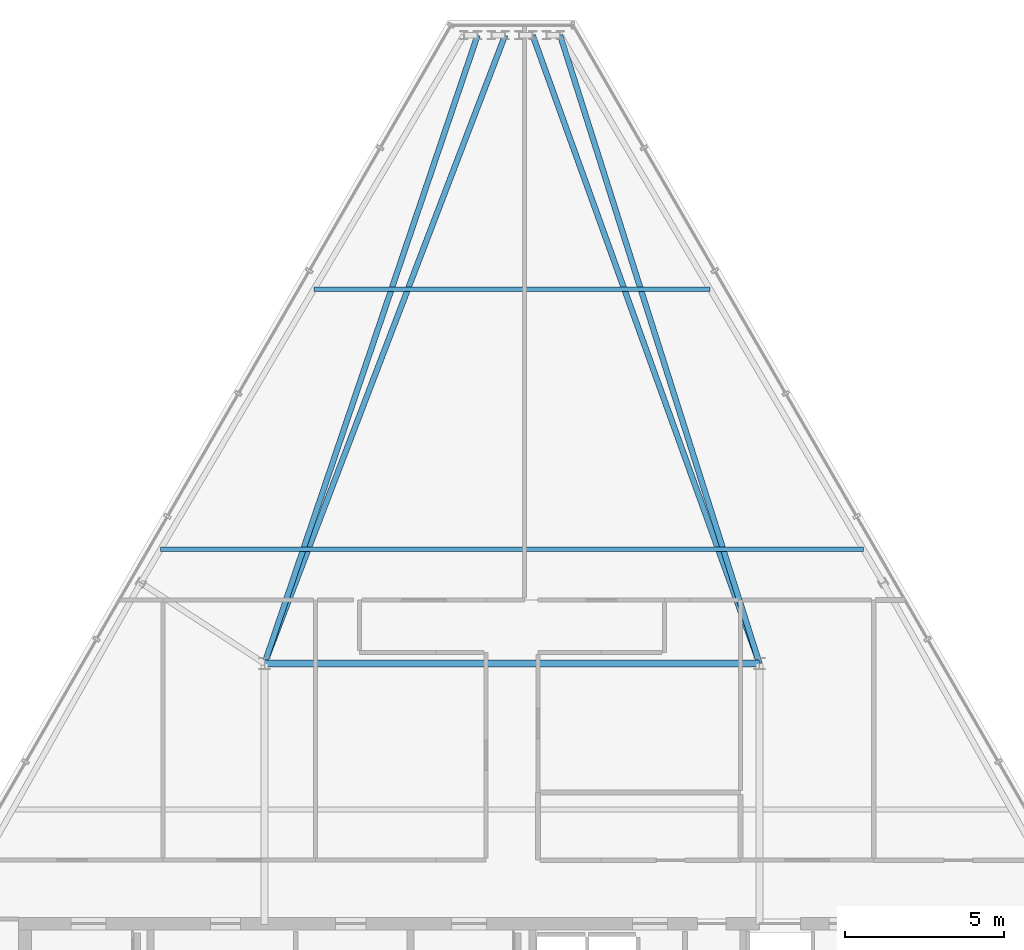
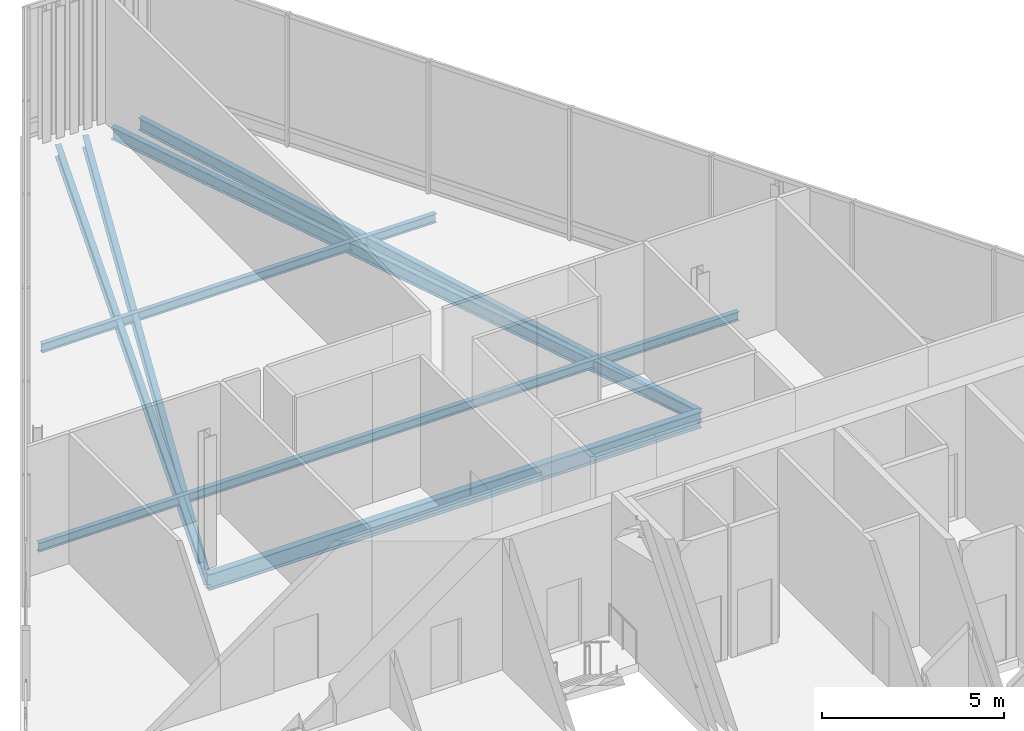
# One storey, part 12 of 25: 7 beams.
"""IFC4 building model written with IfcOpenShell, lengths in metres."""

from ifc_helpers import new_model, si_unit, direction, frame, origin, origin_2d, place, context, subcontext, project, spatial, i_section, extrude, material, material_profile, profile_set, type_object, element, save


model = new_model("IFC4")

# Units and contexts
model_context = context("Model", 3, precision=1e-05, world=origin(), true_north=direction((0.0, 1.0)))
body_context = subcontext(model_context, "Body", "Model", "MODEL_VIEW")
ifc_project = project(units=[si_unit("LENGTHUNIT", "METRE"), si_unit("AREAUNIT", "SQUARE_METRE"), si_unit("VOLUMEUNIT", "CUBIC_METRE"), si_unit("PLANEANGLEUNIT", "RADIAN"), si_unit("MASSUNIT", "GRAM", prefix="KILO")], contexts=[model_context])

# Site, building, storey
site_placement = place(None, origin())
site = spatial("IfcSite", under=ifc_project, at=site_placement, CompositionType="ELEMENT")
building_placement = place(site_placement, origin())
building = spatial("IfcBuilding", under=site, at=building_placement, Name="Ndaravel Arena Tower", CompositionType="ELEMENT")
storey_placement = place(building_placement, frame((0.0, 0.0, 303.300048828125)))
storey = spatial("IfcBuildingStorey", under=building, at=storey_placement, Name="L74", CompositionType="ELEMENT", Elevation=303.300048828125)

# Beams
ifc_material_1 = material(Name="Steel S355", Category="steel")
ifc_material_profile_1 = material_profile(ifc_material_1, i_section(OverallWidth=0.1787109375, OverallDepth=0.409423828125, WebThickness=0.0087890625, FlangeThickness=0.014404296875, FilletRadius=0.01025390625, at=origin_2d()), Name="UB 406x178x67")
ifc_profile_set_1 = profile_set([ifc_material_profile_1], Name="Steel S355")
beam_type_1 = type_object("IfcBeamType", Name="BM-GIRD-UB406", PredefinedType="BEAM", material=ifc_profile_set_1)
beam_1_placement = place(storey_placement, frame((43.518310546875, 43.00537109375, -0.48486328125), z_axis=(0.302330054416, -0.953203303706, 0.0), x_axis=(0.953203303706, 0.302330054416, 0.0)))
element("IfcBeam", 1, at=beam_1_placement, inside=storey, type_object=beam_type_1, Name="L74 Radial Floor Girder FG-11", PredefinedType="BEAM", context=body_context, shape_type="SweptSolid", body=[
    extrude(i_section(OverallWidth=0.1787109375, OverallDepth=0.409423828125, WebThickness=0.0087890625, FlangeThickness=0.014404296875, FilletRadius=0.01025390625, at=origin_2d()), origin(), (0.0, 0.0, 1.0), 20.77783203125),
])
beam_2_placement = place(storey_placement, frame((42.650634765625, 43.00537109375, -0.48486328125), z_axis=(0.339537616724, -0.94059247649, 0.0), x_axis=(0.94059247649, 0.339537616724, 0.0)))
element("IfcBeam", 2, at=beam_2_placement, inside=storey, type_object=beam_type_1, Name="L74 Radial Floor Girder FG-13", PredefinedType="BEAM", context=body_context, shape_type="SweptSolid", body=[
    extrude(i_section(OverallWidth=0.1787109375, OverallDepth=0.409423828125, WebThickness=0.0087890625, FlangeThickness=0.014404296875, FilletRadius=0.01025390625, at=origin_2d()), origin(), (0.0, 0.0, 1.0), 21.056396484375),
])
beam_3_placement = place(storey_placement, frame((41.783203125, 43.00537109375, -0.48486328125), z_axis=(-0.357573144424, -0.933885135542, 0.0), x_axis=(0.933885135542, -0.357573144424, 0.0)))
element("IfcBeam", 3, at=beam_3_placement, inside=storey, type_object=beam_type_1, Name="L74 Radial Floor Girder FG-15", PredefinedType="BEAM", context=body_context, shape_type="SweptSolid", body=[
    extrude(i_section(OverallWidth=0.1787109375, OverallDepth=0.409423828125, WebThickness=0.0087890625, FlangeThickness=0.014404296875, FilletRadius=0.01025390625, at=origin_2d()), origin(), (0.0, 0.0, 1.0), 21.20751953125),
])
beam_4_placement = place(storey_placement, frame((40.91552734375, 43.00537109375, -0.48486328125), z_axis=(-0.321119675227, -0.947038623385, 0.0), x_axis=(0.947038623385, -0.321119675227, 0.0)))
element("IfcBeam", 4, at=beam_4_placement, inside=storey, type_object=beam_type_1, Name="L74 Radial Floor Girder FG-17", PredefinedType="BEAM", context=body_context, shape_type="SweptSolid", body=[
    extrude(i_section(OverallWidth=0.1787109375, OverallDepth=0.409423828125, WebThickness=0.0087890625, FlangeThickness=0.014404296875, FilletRadius=0.01025390625, at=origin_2d()), origin(), (0.0, 0.0, 1.0), 20.9130859375),
])
ifc_material_2 = material(Name="Steel S355", Category="steel")
ifc_material_profile_2 = material_profile(ifc_material_2, i_section(OverallWidth=0.210693359375, OverallDepth=0.53955078125, WebThickness=0.01171875, FlangeThickness=0.018798828125, FilletRadius=0.0126953125, at=origin_2d()), Name="UB 533x210x109")
ifc_profile_set_2 = profile_set([ifc_material_profile_2], Name="Steel S355")
beam_type_2 = type_object("IfcBeamType", Name="BM-GIRD-UB533", PredefinedType="BEAM", material=ifc_profile_set_2)
beam_5_placement = place(storey_placement, frame((34.199951171875, 23.199951171875, -0.5498046875), z_axis=(1.0, 0.0, 0.0), x_axis=(0.0, 1.0, 0.0)))
element("IfcBeam", 5, at=beam_5_placement, inside=storey, type_object=beam_type_2, Name="L74 Spine Link Girder SLG-03", PredefinedType="BEAM", context=body_context, shape_type="SweptSolid", body=[
    extrude(i_section(OverallWidth=0.210693359375, OverallDepth=0.53955078125, WebThickness=0.01171875, FlangeThickness=0.018798828125, FilletRadius=0.0126953125, at=origin_2d()), origin(), (0.0, 0.0, 1.0), 15.60009765625),
])
ifc_material_3 = material(Name="Steel S355", Category="steel")
ifc_material_profile_3 = material_profile(ifc_material_3, i_section(OverallWidth=0.14990234375, OverallDepth=0.300048828125, WebThickness=0.007080078125, FlangeThickness=0.0107421875, FilletRadius=0.014892578125, at=origin_2d()), Name="IPE 300")
ifc_profile_set_3 = profile_set([ifc_material_profile_3], Name="Steel S355")
beam_type_3 = type_object("IfcBeamType", Name="BM-JOIST-IPE300", PredefinedType="JOIST", material=ifc_profile_set_3)
beam_6_placement = place(storey_placement, frame((30.922119140625, 26.800048828125, -0.429931640625), z_axis=(1.0, 0.0, 0.0), x_axis=(0.0, 1.0, 0.0)))
element("IfcBeam", 6, at=beam_6_placement, inside=storey, type_object=beam_type_3, Name="L74 Composite Floor Joist FJ-02", PredefinedType="JOIST", context=body_context, shape_type="SweptSolid", body=[
    extrude(i_section(OverallWidth=0.14990234375, OverallDepth=0.300048828125, WebThickness=0.007080078125, FlangeThickness=0.0107421875, FilletRadius=0.014892578125, at=origin_2d()), origin(), (0.0, 0.0, 1.0), 22.15576171875),
])
beam_7_placement = place(storey_placement, frame((35.75927734375, 35.0, -0.429931640625), z_axis=(1.0, 0.0, 0.0), x_axis=(0.0, 1.0, 0.0)))
element("IfcBeam", 7, at=beam_7_placement, inside=storey, type_object=beam_type_3, Name="L74 Composite Floor Joist FJ-03", PredefinedType="JOIST", context=body_context, shape_type="SweptSolid", body=[
    extrude(i_section(OverallWidth=0.14990234375, OverallDepth=0.300048828125, WebThickness=0.007080078125, FlangeThickness=0.0107421875, FilletRadius=0.014892578125, at=origin_2d()), origin(), (0.0, 0.0, 1.0), 12.4814453125),
])

save(model, "model.ifc")
